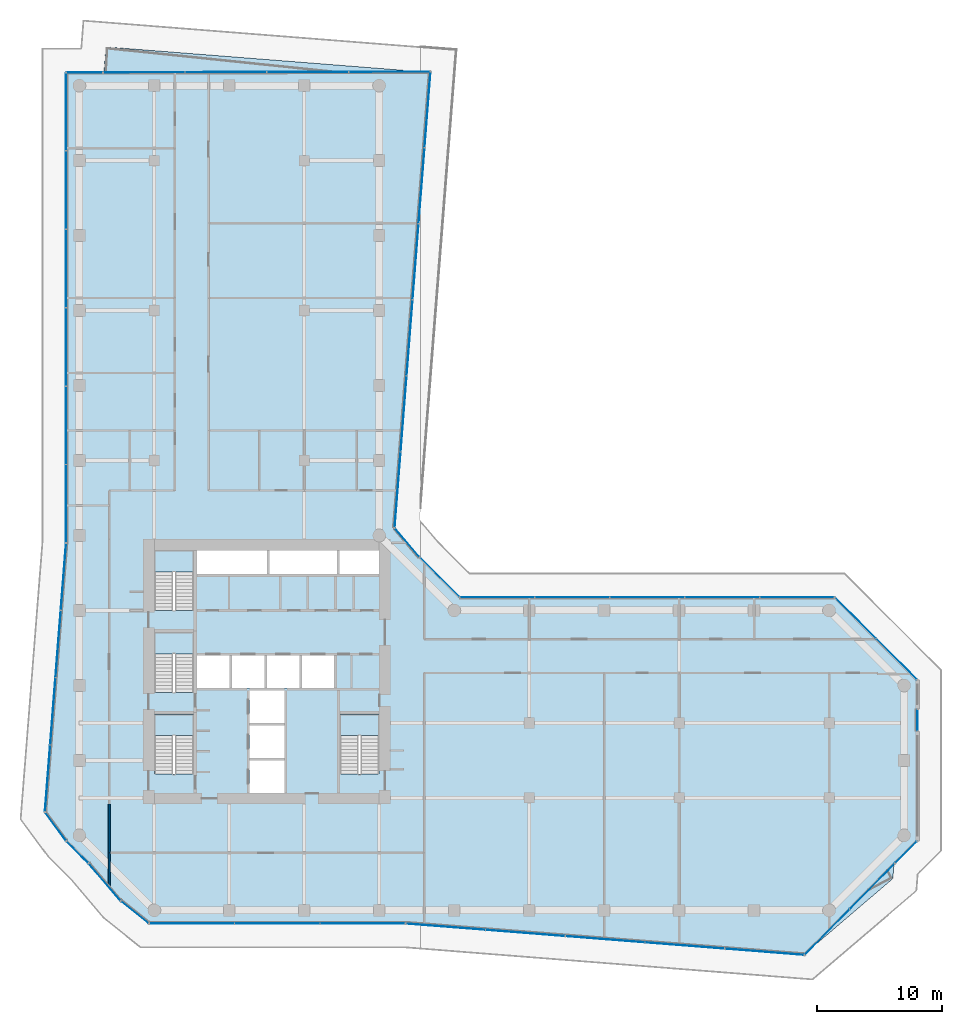
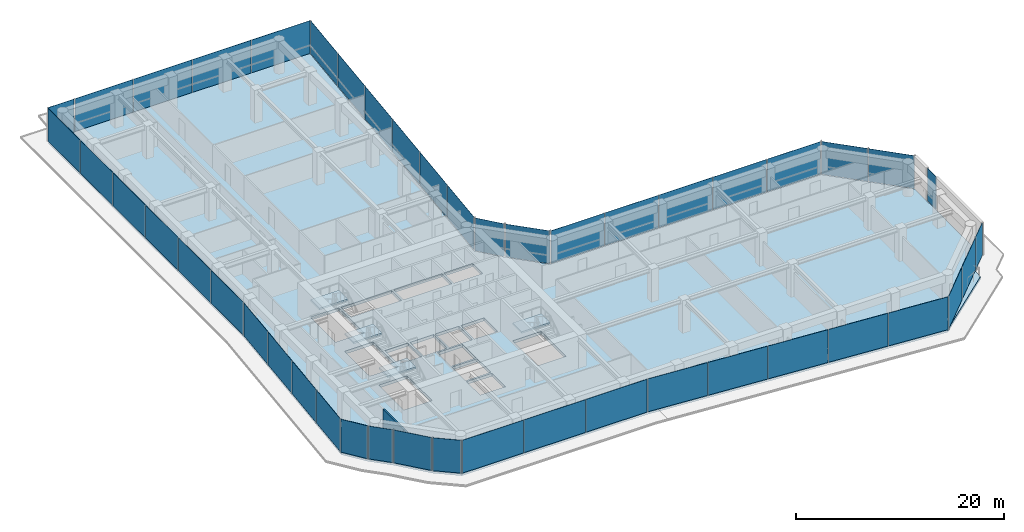
# One storey, part 22 of 29: 46 plates, 5 slabs, 2 walls, 22 elements without a shape of their own.
"""IFC4 building model written with IfcOpenShell, lengths in metres."""

from ifc_helpers import new_model, si_unit, direction, frame, frame_2d, origin, origin_2d, place, context, subcontext, project, spatial, polyline, rectangle, outline, extrude, material, layer, layer_set, type_object, element, aggregate, save


model = new_model("IFC4")

# Units and contexts
model_context = context("Model", 3, precision=1e-05, world=origin(), true_north=direction((0.0, 1.0)))
body_context = subcontext(model_context, "Body", "Model", "MODEL_VIEW")
ifc_project = project(units=[si_unit("LENGTHUNIT", "METRE"), si_unit("AREAUNIT", "SQUARE_METRE"), si_unit("VOLUMEUNIT", "CUBIC_METRE"), si_unit("PLANEANGLEUNIT", "RADIAN"), si_unit("MASSUNIT", "GRAM", prefix="KILO")], contexts=[model_context])

# Site, building, storey
site_placement = place(None, origin())
site = spatial("IfcSite", under=ifc_project, at=site_placement, CompositionType="ELEMENT")
building_placement = place(site_placement, origin())
building = spatial("IfcBuilding", under=site, at=building_placement, Name="Welwitschia Terrace Campus", CompositionType="ELEMENT")
storey_placement = place(building_placement, frame((0.0, 0.0, 33.199951171875)))
storey = spatial("IfcBuildingStorey", under=building, at=storey_placement, Name="L07", CompositionType="ELEMENT", Elevation=33.199951171875)

# Curtain wall, plates
ifc_material_1 = material(Name="Bronze anodised aluminium", Category="aluminium")
ifc_layer_1 = layer(ifc_material_1, 0.1201171875)
ifc_layer_set_1 = layer_set([ifc_layer_1], Name="Bronze anodised aluminium")
curtain_wall_type = type_object("IfcCurtainWallType", Name="Curtain wall CW2 tower 6000", PredefinedType="NOTDEFINED", material=ifc_layer_set_1)
curtain_wall_1_placement = place(storey_placement, origin())
curtain_wall_1 = element("IfcCurtainWall", 1, at=curtain_wall_1_placement, inside=storey, type_object=curtain_wall_type, Name="CW L07.0.0", PredefinedType="NOTDEFINED")
ifc_material_2 = material(Name="Tinted bronze-grey glass", Category="glass")
ifc_layer_2 = layer(ifc_material_2, 0.028076171875)
ifc_layer_set_2 = layer_set([ifc_layer_2], Name="Tinted bronze-grey glass")
plate_type = type_object("IfcPlateType", Name="Glass panel 28 tinted", PredefinedType="CURTAIN_PANEL", material=ifc_layer_set_2)
plate_1_placement = place(storey_placement, frame((-1.27099609375, 22.6904296875, 0.0), z_axis=(0.0, 0.0, 1.0), x_axis=(-0.078459095728, -0.996917333733, 0.0)))
plate_1 = element("IfcPlate", 2, at=plate_1_placement, type_object=plate_type, Name="Panel L07.0.0.0", PredefinedType="CURTAIN_PANEL", context=body_context, shape_type="SweptSolid", body=[
    extrude(rectangle(XDim=5.31201171875, YDim=0.028076171875, at=origin_2d()), origin(), (0.0, 0.0, 1.0), 3.85009765625),
])
plate_2_placement = place(storey_placement, frame((-1.69384765625, 17.320068359375, 0.0), z_axis=(0.0, 0.0, 1.0), x_axis=(-0.078459095728, -0.996917333733, 0.0)))
plate_2 = element("IfcPlate", 3, at=plate_2_placement, type_object=plate_type, Name="Panel L07.0.0.1", PredefinedType="CURTAIN_PANEL", context=body_context, shape_type="SweptSolid", body=[
    extrude(rectangle(XDim=5.342041015625, YDim=0.028076171875, at=origin_2d()), origin(), (0.0, 0.0, 1.0), 3.85009765625),
])
plate_3_placement = place(storey_placement, frame((-2.11767578125, 11.9345703125, 0.0), z_axis=(0.0, 0.0, 1.0), x_axis=(-0.078459095728, -0.996917333733, 0.0)))
plate_3 = element("IfcPlate", 4, at=plate_3_placement, type_object=plate_type, Name="Panel L07.0.0.2", PredefinedType="CURTAIN_PANEL", context=body_context, shape_type="SweptSolid", body=[
    extrude(rectangle(XDim=5.342041015625, YDim=0.028076171875, at=origin_2d()), origin(), (0.0, 0.0, 1.0), 3.85009765625),
])
plate_4_placement = place(storey_placement, frame((-2.540283203125, 6.564208984375, 0.0), z_axis=(0.0, 0.0, 1.0), x_axis=(-0.078459095728, -0.996917333733, 0.0)))
plate_4 = element("IfcPlate", 5, at=plate_4_placement, type_object=plate_type, Name="Panel L07.0.0.3", PredefinedType="CURTAIN_PANEL", context=body_context, shape_type="SweptSolid", body=[
    extrude(rectangle(XDim=5.31201171875, YDim=0.028076171875, at=origin_2d()), origin(), (0.0, 0.0, 1.0), 3.85009765625),
])
aggregate(curtain_wall_1, [plate_1, plate_2, plate_3, plate_4])

# Curtain wall, plate
curtain_wall_2_placement = place(storey_placement, origin())
curtain_wall_2 = element("IfcCurtainWall", 6, at=curtain_wall_2_placement, inside=storey, type_object=curtain_wall_type, Name="CW L07.1.0", PredefinedType="NOTDEFINED")
plate_5_placement = place(storey_placement, frame((-1.898681640625, 2.7021484375, 0.0), z_axis=(0.0, 0.0, 1.0), x_axis=(0.595020655375, -0.803710407844, 0.0)))
plate_5 = element("IfcPlate", 7, at=plate_5_placement, type_object=plate_type, Name="Panel L07.1.0.0", PredefinedType="CURTAIN_PANEL", context=body_context, shape_type="SweptSolid", body=[
    extrude(rectangle(XDim=2.752685546875, YDim=0.028076171875, at=origin_2d()), origin(), (0.0, 0.0, 1.0), 3.85009765625),
])
aggregate(curtain_wall_2, [plate_5])

curtain_wall_3_placement = place(storey_placement, origin())
curtain_wall_3 = element("IfcCurtainWall", 8, at=curtain_wall_3_placement, inside=storey, type_object=curtain_wall_type, Name="CW L07.2.0", PredefinedType="NOTDEFINED")
plate_6_placement = place(storey_placement, frame((-0.151611328125, 0.655517578125, 0.0), z_axis=(0.0, 0.0, 1.0), x_axis=(0.707106781187, -0.707106781187, 0.0)))
plate_6 = element("IfcPlate", 9, at=plate_6_placement, type_object=plate_type, Name="Panel L07.2.0.0", PredefinedType="CURTAIN_PANEL", context=body_context, shape_type="SweptSolid", body=[
    extrude(rectangle(XDim=2.404052734375, YDim=0.028076171875, at=origin_2d()), origin(), (0.0, 0.0, 1.0), 3.85009765625),
])
aggregate(curtain_wall_3, [plate_6])

curtain_wall_4_placement = place(storey_placement, origin())
curtain_wall_4 = element("IfcCurtainWall", 10, at=curtain_wall_4_placement, inside=storey, type_object=curtain_wall_type, Name="CW L07.3.0", PredefinedType="NOTDEFINED")
plate_7_placement = place(storey_placement, frame((2.027587890625, -1.74365234375, 0.0), z_axis=(0.0, 0.0, 1.0), x_axis=(0.64944804833, -0.7604059656, 0.0)))
plate_7 = element("IfcPlate", 11, at=plate_7_placement, type_object=plate_type, Name="Panel L07.3.0.0", PredefinedType="CURTAIN_PANEL", context=body_context, shape_type="SweptSolid", body=[
    extrude(rectangle(XDim=3.8427734375, YDim=0.028076171875, at=origin_2d()), origin(), (0.0, 0.0, 1.0), 3.85009765625),
])
aggregate(curtain_wall_4, [plate_7])

curtain_wall_5_placement = place(storey_placement, origin())
curtain_wall_5 = element("IfcCurtainWall", 12, at=curtain_wall_5_placement, inside=storey, type_object=curtain_wall_type, Name="CW L07.4.0", PredefinedType="NOTDEFINED")
plate_8_placement = place(storey_placement, frame((4.43994140625, -4.154052734375, 0.0), z_axis=(0.0, 0.0, 1.0), x_axis=(0.77970660766, -0.626145035891, 0.0)))
plate_8 = element("IfcPlate", 13, at=plate_8_placement, type_object=plate_type, Name="Panel L07.4.0.0", PredefinedType="CURTAIN_PANEL", context=body_context, shape_type="SweptSolid", body=[
    extrude(rectangle(XDim=2.76708984375, YDim=0.028076171875, at=origin_2d()), origin(), (0.0, 0.0, 1.0), 3.85009765625),
])
aggregate(curtain_wall_5, [plate_8])

# Curtain wall, plates
curtain_wall_6_placement = place(storey_placement, origin())
curtain_wall_6 = element("IfcCurtainWall", 14, at=curtain_wall_6_placement, inside=storey, type_object=curtain_wall_type, Name="CW L07.5.0", PredefinedType="NOTDEFINED")
plate_9_placement = place(storey_placement, frame((9.00537109375, -5.05810546875, 0.0), z_axis=(0.0, 0.0, 1.0), x_axis=(1.0, 0.0, 0.0)))
plate_9 = element("IfcPlate", 15, at=plate_9_placement, type_object=plate_type, Name="Panel L07.5.0.0", PredefinedType="CURTAIN_PANEL", context=body_context, shape_type="SweptSolid", body=[
    extrude(rectangle(XDim=6.760009765625, YDim=0.028076171875, at=origin_2d()), origin(), (0.0, 0.0, 1.0), 3.85009765625),
])
plate_10_placement = place(storey_placement, frame((15.840576171875, -5.05810546875, 0.0), z_axis=(0.0, 0.0, 1.0), x_axis=(1.0, 0.0, 0.0)))
plate_10 = element("IfcPlate", 16, at=plate_10_placement, type_object=plate_type, Name="Panel L07.5.0.1", PredefinedType="CURTAIN_PANEL", context=body_context, shape_type="SweptSolid", body=[
    extrude(rectangle(XDim=6.7900390625, YDim=0.028076171875, at=origin_2d()), origin(), (0.0, 0.0, 1.0), 3.85009765625),
])
plate_11_placement = place(storey_placement, frame((22.675537109375, -5.05810546875, 0.0), z_axis=(0.0, 0.0, 1.0), x_axis=(1.0, 0.0, 0.0)))
plate_11 = element("IfcPlate", 17, at=plate_11_placement, type_object=plate_type, Name="Panel L07.5.0.2", PredefinedType="CURTAIN_PANEL", context=body_context, shape_type="SweptSolid", body=[
    extrude(rectangle(XDim=6.760009765625, YDim=0.028076171875, at=origin_2d()), origin(), (0.0, 0.0, 1.0), 3.85009765625),
])
aggregate(curtain_wall_6, [plate_9, plate_10, plate_11])

curtain_wall_7_placement = place(storey_placement, origin())
curtain_wall_7 = element("IfcCurtainWall", 18, at=curtain_wall_7_placement, inside=storey, type_object=curtain_wall_type, Name="CW L07.6.0", PredefinedType="NOTDEFINED")
plate_12_placement = place(storey_placement, frame((29.322265625, -5.310302734375, 0.0), z_axis=(0.0, 0.0, 1.0), x_axis=(0.996917333733, -0.078459095728, 0.0)))
plate_12 = element("IfcPlate", 19, at=plate_12_placement, type_object=plate_type, Name="Panel L07.6.0.0", PredefinedType="CURTAIN_PANEL", context=body_context, shape_type="SweptSolid", body=[
    extrude(rectangle(XDim=6.3134765625, YDim=0.028076171875, at=origin_2d()), origin(), (0.0, 0.0, 1.0), 3.85009765625),
])
plate_13_placement = place(storey_placement, frame((35.691162109375, -5.8115234375, 0.0), z_axis=(0.0, 0.0, 1.0), x_axis=(0.996917333733, -0.078459095728, 0.0)))
plate_13 = element("IfcPlate", 20, at=plate_13_placement, type_object=plate_type, Name="Panel L07.6.0.1", PredefinedType="CURTAIN_PANEL", context=body_context, shape_type="SweptSolid", body=[
    extrude(rectangle(XDim=6.34326171875, YDim=0.028076171875, at=origin_2d()), origin(), (0.0, 0.0, 1.0), 3.85009765625),
])
plate_14_placement = place(storey_placement, frame((42.07470703125, -6.31396484375, 0.0), z_axis=(0.0, 0.0, 1.0), x_axis=(0.996917333733, -0.078459095728, 0.0)))
plate_14 = element("IfcPlate", 21, at=plate_14_placement, type_object=plate_type, Name="Panel L07.6.0.2", PredefinedType="CURTAIN_PANEL", context=body_context, shape_type="SweptSolid", body=[
    extrude(rectangle(XDim=6.34326171875, YDim=0.028076171875, at=origin_2d()), origin(), (0.0, 0.0, 1.0), 3.85009765625),
])
plate_15_placement = place(storey_placement, frame((48.458251953125, -6.81640625, 0.0), z_axis=(0.0, 0.0, 1.0), x_axis=(0.996917333733, -0.078459095728, 0.0)))
plate_15 = element("IfcPlate", 22, at=plate_15_placement, type_object=plate_type, Name="Panel L07.6.0.3", PredefinedType="CURTAIN_PANEL", context=body_context, shape_type="SweptSolid", body=[
    extrude(rectangle(XDim=6.34326171875, YDim=0.028076171875, at=origin_2d()), origin(), (0.0, 0.0, 1.0), 3.85009765625),
])
plate_16_placement = place(storey_placement, frame((54.826904296875, -7.317626953125, 0.0), z_axis=(0.0, 0.0, 1.0), x_axis=(0.996917333733, -0.078459095728, 0.0)))
plate_16 = element("IfcPlate", 23, at=plate_16_placement, type_object=plate_type, Name="Panel L07.6.0.4", PredefinedType="CURTAIN_PANEL", context=body_context, shape_type="SweptSolid", body=[
    extrude(rectangle(XDim=6.3134765625, YDim=0.028076171875, at=origin_2d()), origin(), (0.0, 0.0, 1.0), 3.85009765625),
])
aggregate(curtain_wall_7, [plate_12, plate_13, plate_14, plate_15, plate_16])

curtain_wall_8_placement = place(storey_placement, origin())
curtain_wall_8 = element("IfcCurtainWall", 24, at=curtain_wall_8_placement, inside=storey, type_object=curtain_wall_type, Name="CW L07.7.0", PredefinedType="NOTDEFINED")
plate_17_placement = place(storey_placement, frame((59.848388671875, -5.728271484375, 0.0), z_axis=(0.0, 0.0, 1.0), x_axis=(0.701858594732, 0.712316301232, 0.0)))
plate_17 = element("IfcPlate", 25, at=plate_17_placement, type_object=plate_type, Name="Panel L07.7.0.0", PredefinedType="CURTAIN_PANEL", context=body_context, shape_type="SweptSolid", body=[
    extrude(rectangle(XDim=5.051025390625, YDim=0.028076171875, at=origin_2d()), origin(), (0.0, 0.0, 1.0), 3.85009765625),
])
plate_18_placement = place(storey_placement, frame((63.435791015625, -2.087646484375, 0.0), z_axis=(0.0, 0.0, 1.0), x_axis=(0.701858594732, 0.712316301232, 0.0)))
plate_18 = element("IfcPlate", 26, at=plate_18_placement, type_object=plate_type, Name="Panel L07.7.0.1", PredefinedType="CURTAIN_PANEL", context=body_context, shape_type="SweptSolid", body=[
    extrude(rectangle(XDim=5.051025390625, YDim=0.028076171875, at=origin_2d()), origin(), (0.0, 0.0, 1.0), 3.85009765625),
])
aggregate(curtain_wall_8, [plate_17, plate_18])

# Curtain wall, plate
curtain_wall_9_placement = place(storey_placement, origin())
curtain_wall_9 = element("IfcCurtainWall", 27, at=curtain_wall_9_placement, inside=storey, type_object=curtain_wall_type, Name="CW L07.8.0", PredefinedType="NOTDEFINED")
plate_19_placement = place(storey_placement, frame((66.154296875, 0.657958984375, 0.0), z_axis=(0.0, 0.0, 1.0), x_axis=(0.707106781187, 0.707106781187, 0.0)))
plate_19 = element("IfcPlate", 28, at=plate_19_placement, type_object=plate_type, Name="Panel L07.8.0.0", PredefinedType="CURTAIN_PANEL", context=body_context, shape_type="SweptSolid", body=[
    extrude(rectangle(XDim=2.436279296875, YDim=0.028076171875, at=origin_2d()), origin(), (0.0, 0.0, 1.0), 3.85009765625),
])
aggregate(curtain_wall_9, [plate_19])

curtain_wall_10_placement = place(storey_placement, origin())
curtain_wall_10 = element("IfcCurtainWall", 29, at=curtain_wall_10_placement, inside=storey, type_object=curtain_wall_type, Name="CW L07.9.S0", PredefinedType="NOTDEFINED")
plate_20_placement = place(storey_placement, frame((67.05810546875, 11.21923828125, 0.0), z_axis=(0.0, 0.0, 1.0), x_axis=(0.0, 1.0, 0.0)))
plate_20 = element("IfcPlate", 30, at=plate_20_placement, type_object=plate_type, Name="Panel L07.9.S0.0", PredefinedType="CURTAIN_PANEL", context=body_context, shape_type="SweptSolid", body=[
    extrude(rectangle(XDim=1.679931640625, YDim=0.028076171875, at=origin_2d()), origin(), (0.0, 0.0, 1.0), 3.85009765625),
])
aggregate(curtain_wall_10, [plate_20])

# Curtain wall, plates
curtain_wall_11_placement = place(storey_placement, origin())
curtain_wall_11 = element("IfcCurtainWall", 31, at=curtain_wall_11_placement, inside=storey, type_object=curtain_wall_type, Name="CW L07.10.0", PredefinedType="NOTDEFINED")
plate_21_placement = place(storey_placement, frame((65.392333984375, 16.103759765625, 0.0), z_axis=(0.0, 0.0, 1.0), x_axis=(-0.707106781187, 0.707106781187, 0.0)))
plate_21 = element("IfcPlate", 32, at=plate_21_placement, type_object=plate_type, Name="Panel L07.10.0.0", PredefinedType="CURTAIN_PANEL", context=body_context, shape_type="SweptSolid", body=[
    extrude(rectangle(XDim=4.5908203125, YDim=0.028076171875, at=origin_2d()), origin(), (0.0, 0.0, 1.0), 3.85009765625),
])
plate_22_placement = place(storey_placement, frame((62.103759765625, 19.392333984375, 0.0), z_axis=(0.0, 0.0, 1.0), x_axis=(-0.707106781187, 0.707106781187, 0.0)))
plate_22 = element("IfcPlate", 33, at=plate_22_placement, type_object=plate_type, Name="Panel L07.10.0.1", PredefinedType="CURTAIN_PANEL", context=body_context, shape_type="SweptSolid", body=[
    extrude(rectangle(XDim=4.5908203125, YDim=0.028076171875, at=origin_2d()), origin(), (0.0, 0.0, 1.0), 3.85009765625),
])
aggregate(curtain_wall_11, [plate_21, plate_22])

curtain_wall_12_placement = place(storey_placement, origin())
curtain_wall_12 = element("IfcCurtainWall", 34, at=curtain_wall_12_placement, inside=storey, type_object=curtain_wall_type, Name="CW L07.11.0", PredefinedType="NOTDEFINED")
plate_23_placement = place(storey_placement, frame((57.42333984375, 21.05810546875, 0.0), z_axis=(0.0, 0.0, 1.0), x_axis=(-1.0, 0.0, 0.0)))
plate_23 = element("IfcPlate", 35, at=plate_23_placement, type_object=plate_type, Name="Panel L07.11.0.0", PredefinedType="CURTAIN_PANEL", context=body_context, shape_type="SweptSolid", body=[
    extrude(rectangle(XDim=5.909912109375, YDim=0.028076171875, at=origin_2d()), origin(), (0.0, 0.0, 1.0), 3.85009765625),
])
plate_24_placement = place(storey_placement, frame((51.438232421875, 21.05810546875, 0.0), z_axis=(0.0, 0.0, 1.0), x_axis=(-1.0, 0.0, 0.0)))
plate_24 = element("IfcPlate", 36, at=plate_24_placement, type_object=plate_type, Name="Panel L07.11.0.1", PredefinedType="CURTAIN_PANEL", context=body_context, shape_type="SweptSolid", body=[
    extrude(rectangle(XDim=5.93994140625, YDim=0.028076171875, at=origin_2d()), origin(), (0.0, 0.0, 1.0), 3.85009765625),
])
plate_25_placement = place(storey_placement, frame((45.438232421875, 21.05810546875, 0.0), z_axis=(0.0, 0.0, 1.0), x_axis=(-1.0, 0.0, 0.0)))
plate_25 = element("IfcPlate", 37, at=plate_25_placement, type_object=plate_type, Name="Panel L07.11.0.2", PredefinedType="CURTAIN_PANEL", context=body_context, shape_type="SweptSolid", body=[
    extrude(rectangle(XDim=5.93994140625, YDim=0.028076171875, at=origin_2d()), origin(), (0.0, 0.0, 1.0), 3.85009765625),
])
plate_26_placement = place(storey_placement, frame((39.438232421875, 21.05810546875, 0.0), z_axis=(0.0, 0.0, 1.0), x_axis=(-1.0, 0.0, 0.0)))
plate_26 = element("IfcPlate", 38, at=plate_26_placement, type_object=plate_type, Name="Panel L07.11.0.3", PredefinedType="CURTAIN_PANEL", context=body_context, shape_type="SweptSolid", body=[
    extrude(rectangle(XDim=5.93994140625, YDim=0.028076171875, at=origin_2d()), origin(), (0.0, 0.0, 1.0), 3.85009765625),
])
plate_27_placement = place(storey_placement, frame((33.453125, 21.05810546875, 0.0), z_axis=(0.0, 0.0, 1.0), x_axis=(-1.0, 0.0, 0.0)))
plate_27 = element("IfcPlate", 39, at=plate_27_placement, type_object=plate_type, Name="Panel L07.11.0.4", PredefinedType="CURTAIN_PANEL", context=body_context, shape_type="SweptSolid", body=[
    extrude(rectangle(XDim=5.909912109375, YDim=0.028076171875, at=origin_2d()), origin(), (0.0, 0.0, 1.0), 3.85009765625),
])
aggregate(curtain_wall_12, [plate_23, plate_24, plate_25, plate_26, plate_27])

# Curtain wall, plate
curtain_wall_13_placement = place(storey_placement, origin())
curtain_wall_13 = element("IfcCurtainWall", 40, at=curtain_wall_13_placement, inside=storey, type_object=curtain_wall_type, Name="CW L07.12.0", PredefinedType="NOTDEFINED")
plate_28_placement = place(storey_placement, frame((28.83837890625, 22.65771484375, 0.0), z_axis=(0.0, 0.0, 1.0), x_axis=(-0.707106781187, 0.707106781187, 0.0)))
plate_28 = element("IfcPlate", 41, at=plate_28_placement, type_object=plate_type, Name="Panel L07.12.0.0", PredefinedType="CURTAIN_PANEL", context=body_context, shape_type="SweptSolid", body=[
    extrude(rectangle(XDim=4.40478515625, YDim=0.028076171875, at=origin_2d()), origin(), (0.0, 0.0, 1.0), 3.85009765625),
])
aggregate(curtain_wall_13, [plate_28])

curtain_wall_14_placement = place(storey_placement, origin())
curtain_wall_14 = element("IfcCurtainWall", 42, at=curtain_wall_14_placement, inside=storey, type_object=curtain_wall_type, Name="CW L07.13.0", PredefinedType="NOTDEFINED")
plate_29_placement = place(storey_placement, frame((26.236328125, 25.431396484375, 0.0), z_axis=(0.0, 0.0, 1.0), x_axis=(-0.64944804833, 0.7604059656, 0.0)))
plate_29 = element("IfcPlate", 43, at=plate_29_placement, type_object=plate_type, Name="Panel L07.13.0.0", PredefinedType="CURTAIN_PANEL", context=body_context, shape_type="SweptSolid", body=[
    extrude(rectangle(XDim=2.967041015625, YDim=0.028076171875, at=origin_2d()), origin(), (0.0, 0.0, 1.0), 3.85009765625),
])
aggregate(curtain_wall_14, [plate_29])

# Curtain wall, plates
curtain_wall_15_placement = place(storey_placement, origin())
curtain_wall_15 = element("IfcCurtainWall", 44, at=curtain_wall_15_placement, inside=storey, type_object=curtain_wall_type, Name="CW L07.14.0", PredefinedType="NOTDEFINED")
plate_30_placement = place(storey_placement, frame((25.474365234375, 29.662109375, 0.0), z_axis=(0.0, 0.0, 1.0), x_axis=(0.078459095728, 0.996917333733, 0.0)))
plate_30 = element("IfcPlate", 45, at=plate_30_placement, type_object=plate_type, Name="Panel L07.14.0.0", PredefinedType="CURTAIN_PANEL", context=body_context, shape_type="SweptSolid", body=[
    extrude(rectangle(XDim=6.01318359375, YDim=0.028076171875, at=origin_2d()), origin(), (0.0, 0.0, 1.0), 3.85009765625),
])
plate_31_placement = place(storey_placement, frame((25.9521484375, 35.731689453125, 0.0), z_axis=(0.0, 0.0, 1.0), x_axis=(0.078459095728, 0.996917333733, 0.0)))
plate_31 = element("IfcPlate", 46, at=plate_31_placement, type_object=plate_type, Name="Panel L07.14.0.1", PredefinedType="CURTAIN_PANEL", context=body_context, shape_type="SweptSolid", body=[
    extrude(rectangle(XDim=6.043212890625, YDim=0.028076171875, at=origin_2d()), origin(), (0.0, 0.0, 1.0), 3.85009765625),
])
plate_32_placement = place(storey_placement, frame((26.430908203125, 41.816162109375, 0.0), z_axis=(0.0, 0.0, 1.0), x_axis=(0.078459095728, 0.996917333733, 0.0)))
plate_32 = element("IfcPlate", 47, at=plate_32_placement, type_object=plate_type, Name="Panel L07.14.0.2", PredefinedType="CURTAIN_PANEL", context=body_context, shape_type="SweptSolid", body=[
    extrude(rectangle(XDim=6.043212890625, YDim=0.028076171875, at=origin_2d()), origin(), (0.0, 0.0, 1.0), 3.85009765625),
])
plate_33_placement = place(storey_placement, frame((26.90966796875, 47.900634765625, 0.0), z_axis=(0.0, 0.0, 1.0), x_axis=(0.078459095728, 0.996917333733, 0.0)))
plate_33 = element("IfcPlate", 48, at=plate_33_placement, type_object=plate_type, Name="Panel L07.14.0.3", PredefinedType="CURTAIN_PANEL", context=body_context, shape_type="SweptSolid", body=[
    extrude(rectangle(XDim=6.043212890625, YDim=0.028076171875, at=origin_2d()), origin(), (0.0, 0.0, 1.0), 3.85009765625),
])
plate_34_placement = place(storey_placement, frame((27.388671875, 53.985107421875, 0.0), z_axis=(0.0, 0.0, 1.0), x_axis=(0.078459095728, 0.996917333733, 0.0)))
plate_34 = element("IfcPlate", 49, at=plate_34_placement, type_object=plate_type, Name="Panel L07.14.0.4", PredefinedType="CURTAIN_PANEL", context=body_context, shape_type="SweptSolid", body=[
    extrude(rectangle(XDim=6.043212890625, YDim=0.028076171875, at=origin_2d()), origin(), (0.0, 0.0, 1.0), 3.85009765625),
])
plate_35_placement = place(storey_placement, frame((27.8662109375, 60.0546875, 0.0), z_axis=(0.0, 0.0, 1.0), x_axis=(0.078459095728, 0.996917333733, 0.0)))
plate_35 = element("IfcPlate", 50, at=plate_35_placement, type_object=plate_type, Name="Panel L07.14.0.5", PredefinedType="CURTAIN_PANEL", context=body_context, shape_type="SweptSolid", body=[
    extrude(rectangle(XDim=6.01318359375, YDim=0.028076171875, at=origin_2d()), origin(), (0.0, 0.0, 1.0), 3.85009765625),
])
aggregate(curtain_wall_15, [plate_30, plate_31, plate_32, plate_33, plate_34, plate_35])

curtain_wall_16_placement = place(storey_placement, origin())
curtain_wall_16 = element("IfcCurtainWall", 51, at=curtain_wall_16_placement, inside=storey, type_object=curtain_wall_type, Name="CW L07.15.0", PredefinedType="NOTDEFINED")
plate_36_placement = place(storey_placement, frame((24.81689453125, 63.105224609375, 0.0), z_axis=(0.0, 0.0, 1.0), x_axis=(-0.999997883246, -0.00205754776, 0.0)))
plate_36 = element("IfcPlate", 52, at=plate_36_placement, type_object=plate_type, Name="Panel L07.15.0.0", PredefinedType="CURTAIN_PANEL", context=body_context, shape_type="SweptSolid", body=[
    extrude(rectangle(XDim=6.460205078125, YDim=0.028076171875, at=origin_2d()), origin(), (0.0, 0.0, 1.0), 3.85009765625),
])
plate_37_placement = place(storey_placement, frame((18.281494140625, 63.091796875, 0.0), z_axis=(0.0, 0.0, 1.0), x_axis=(-0.999997883246, -0.00205754776, 0.0)))
plate_37 = element("IfcPlate", 53, at=plate_37_placement, type_object=plate_type, Name="Panel L07.15.0.1", PredefinedType="CURTAIN_PANEL", context=body_context, shape_type="SweptSolid", body=[
    extrude(rectangle(XDim=6.490234375, YDim=0.028076171875, at=origin_2d()), origin(), (0.0, 0.0, 1.0), 3.85009765625),
])
plate_38_placement = place(storey_placement, frame((11.731201171875, 63.078125, 0.0), z_axis=(0.0, 0.0, 1.0), x_axis=(-0.999997883246, -0.00205754776, 0.0)))
plate_38 = element("IfcPlate", 54, at=plate_38_placement, type_object=plate_type, Name="Panel L07.15.0.2", PredefinedType="CURTAIN_PANEL", context=body_context, shape_type="SweptSolid", body=[
    extrude(rectangle(XDim=6.490234375, YDim=0.028076171875, at=origin_2d()), origin(), (0.0, 0.0, 1.0), 3.85009765625),
])
plate_39_placement = place(storey_placement, frame((5.196044921875, 63.064697265625, 0.0), z_axis=(0.0, 0.0, 1.0), x_axis=(-0.999997883246, -0.00205754776, 0.0)))
plate_39 = element("IfcPlate", 55, at=plate_39_placement, type_object=plate_type, Name="Panel L07.15.0.3", PredefinedType="CURTAIN_PANEL", context=body_context, shape_type="SweptSolid", body=[
    extrude(rectangle(XDim=6.460205078125, YDim=0.028076171875, at=origin_2d()), origin(), (0.0, 0.0, 1.0), 3.85009765625),
])
aggregate(curtain_wall_16, [plate_36, plate_37, plate_38, plate_39])

# Curtain wall, plate
curtain_wall_17_placement = place(storey_placement, origin())
curtain_wall_17 = element("IfcCurtainWall", 56, at=curtain_wall_17_placement, inside=storey, type_object=curtain_wall_type, Name="CW L07.16.0", PredefinedType="NOTDEFINED")
plate_40_placement = place(storey_placement, frame((0.424072265625, 63.05810546875, 0.0), z_axis=(0.0, 0.0, 1.0), x_axis=(-1.0, 0.0, 0.0)))
plate_40 = element("IfcPlate", 57, at=plate_40_placement, type_object=plate_type, Name="Panel L07.16.0.0", PredefinedType="CURTAIN_PANEL", context=body_context, shape_type="SweptSolid", body=[
    extrude(rectangle(XDim=2.843994140625, YDim=0.028076171875, at=origin_2d()), origin(), (0.0, 0.0, 1.0), 3.85009765625),
])
aggregate(curtain_wall_17, [plate_40])

# Curtain wall, plates
curtain_wall_18_placement = place(storey_placement, origin())
curtain_wall_18 = element("IfcCurtainWall", 58, at=curtain_wall_18_placement, inside=storey, type_object=curtain_wall_type, Name="CW L07.17.0", PredefinedType="NOTDEFINED")
plate_41_placement = place(storey_placement, frame((-1.05810546875, 59.90478515625, 0.0), z_axis=(0.0, 0.0, 1.0), x_axis=(0.0, -1.0, 0.0)))
plate_41 = element("IfcPlate", 59, at=plate_41_placement, type_object=plate_type, Name="Panel L07.17.0.0", PredefinedType="CURTAIN_PANEL", context=body_context, shape_type="SweptSolid", body=[
    extrude(rectangle(XDim=6.186767578125, YDim=0.028076171875, at=origin_2d()), origin(), (0.0, 0.0, 1.0), 3.85009765625),
])
plate_42_placement = place(storey_placement, frame((-1.05810546875, 53.64306640625, 0.0), z_axis=(0.0, 0.0, 1.0), x_axis=(0.0, -1.0, 0.0)))
plate_42 = element("IfcPlate", 60, at=plate_42_placement, type_object=plate_type, Name="Panel L07.17.0.1", PredefinedType="CURTAIN_PANEL", context=body_context, shape_type="SweptSolid", body=[
    extrude(rectangle(XDim=6.216552734375, YDim=0.028076171875, at=origin_2d()), origin(), (0.0, 0.0, 1.0), 3.85009765625),
])
plate_43_placement = place(storey_placement, frame((-1.05810546875, 47.366455078125, 0.0), z_axis=(0.0, 0.0, 1.0), x_axis=(0.0, -1.0, 0.0)))
plate_43 = element("IfcPlate", 61, at=plate_43_placement, type_object=plate_type, Name="Panel L07.17.0.2", PredefinedType="CURTAIN_PANEL", context=body_context, shape_type="SweptSolid", body=[
    extrude(rectangle(XDim=6.216552734375, YDim=0.028076171875, at=origin_2d()), origin(), (0.0, 0.0, 1.0), 3.85009765625),
])
plate_44_placement = place(storey_placement, frame((-1.05810546875, 41.089599609375, 0.0), z_axis=(0.0, 0.0, 1.0), x_axis=(0.0, -1.0, 0.0)))
plate_44 = element("IfcPlate", 62, at=plate_44_placement, type_object=plate_type, Name="Panel L07.17.0.3", PredefinedType="CURTAIN_PANEL", context=body_context, shape_type="SweptSolid", body=[
    extrude(rectangle(XDim=6.216552734375, YDim=0.028076171875, at=origin_2d()), origin(), (0.0, 0.0, 1.0), 3.85009765625),
])
plate_45_placement = place(storey_placement, frame((-1.05810546875, 34.81298828125, 0.0), z_axis=(0.0, 0.0, 1.0), x_axis=(0.0, -1.0, 0.0)))
plate_45 = element("IfcPlate", 63, at=plate_45_placement, type_object=plate_type, Name="Panel L07.17.0.4", PredefinedType="CURTAIN_PANEL", context=body_context, shape_type="SweptSolid", body=[
    extrude(rectangle(XDim=6.216552734375, YDim=0.028076171875, at=origin_2d()), origin(), (0.0, 0.0, 1.0), 3.85009765625),
])
plate_46_placement = place(storey_placement, frame((-1.05810546875, 28.55126953125, 0.0), z_axis=(0.0, 0.0, 1.0), x_axis=(0.0, -1.0, 0.0)))
plate_46 = element("IfcPlate", 64, at=plate_46_placement, type_object=plate_type, Name="Panel L07.17.0.5", PredefinedType="CURTAIN_PANEL", context=body_context, shape_type="SweptSolid", body=[
    extrude(rectangle(XDim=6.186767578125, YDim=0.028076171875, at=origin_2d()), origin(), (0.0, 0.0, 1.0), 3.85009765625),
])
aggregate(curtain_wall_18, [plate_41, plate_42, plate_43, plate_44, plate_45, plate_46])

# Stair, slab
ifc_material_3 = material(Name="Concrete C40/50", Category="concrete")
stair_type = type_object("IfcStairType", Name="Stair 24R 175 W1500", PredefinedType="HALF_TURN_STAIR", material=ifc_material_3)
stair_1_placement = place(storey_placement, origin())
stair_1 = element("IfcStair", 65, at=stair_1_placement, inside=storey, type_object=stair_type, Name="L07 Exit stair S1", PredefinedType="HALF_TURN_STAIR")
ifc_material_4 = material(Name="Concrete C40/50", Category="concrete")
ifc_layer_3 = layer(ifc_material_4, 0.199951171875)
ifc_layer_set_3 = layer_set([ifc_layer_3], Name="Concrete C40/50")
slab_type_1 = type_object("IfcSlabType", Name="Stair landing RC", PredefinedType="LANDING", material=ifc_layer_set_3)
slab_1_placement = place(storey_placement, frame((0.0, 0.0, 1.900146484375)))
slab_1 = element("IfcSlab", 66, at=slab_1_placement, type_object=slab_type_1, Name="S1 landing 1", PredefinedType="LANDING", context=body_context, shape_type="SweptSolid", body=[
    extrude(outline(polyline([(9.14990234375, 9.97998046875), (9.14990234375, 11.699951171875), (6.0, 11.699951171875), (6.0, 9.97998046875), (9.14990234375, 9.97998046875)])), origin(), (0.0, 0.0, 1.0), 0.199951171875),
])
aggregate(stair_1, [slab_1])

stair_2_placement = place(storey_placement, origin())
stair_2 = element("IfcStair", 67, at=stair_2_placement, inside=storey, type_object=stair_type, Name="L07 Exit stair S3", PredefinedType="HALF_TURN_STAIR")
slab_2_placement = place(storey_placement, frame((0.0, 0.0, 1.900146484375)))
slab_2 = element("IfcSlab", 68, at=slab_2_placement, type_object=slab_type_1, Name="S3 landing 1", PredefinedType="LANDING", context=body_context, shape_type="SweptSolid", body=[
    extrude(outline(polyline([(9.14990234375, 16.530029296875), (9.14990234375, 18.25), (6.0, 18.25), (6.0, 16.530029296875), (9.14990234375, 16.530029296875)])), origin(), (0.0, 0.0, 1.0), 0.199951171875),
])
aggregate(stair_2, [slab_2])

stair_3_placement = place(storey_placement, origin())
stair_3 = element("IfcStair", 69, at=stair_3_placement, inside=storey, type_object=stair_type, Name="L07 Exit stair S4", PredefinedType="HALF_TURN_STAIR")
slab_3_placement = place(storey_placement, frame((0.0, 0.0, 1.900146484375)))
slab_3 = element("IfcSlab", 70, at=slab_3_placement, type_object=slab_type_1, Name="S4 landing 1", PredefinedType="LANDING", context=body_context, shape_type="SweptSolid", body=[
    extrude(outline(polyline([(9.14990234375, 23.080078125), (9.14990234375, 24.800048828125), (6.0, 24.800048828125), (6.0, 23.080078125), (9.14990234375, 23.080078125)])), origin(), (0.0, 0.0, 1.0), 0.199951171875),
])
aggregate(stair_3, [slab_3])

stair_4_placement = place(storey_placement, origin())
stair_4 = element("IfcStair", 71, at=stair_4_placement, inside=storey, type_object=stair_type, Name="L07 Exit stair S2", PredefinedType="HALF_TURN_STAIR")
slab_4_placement = place(storey_placement, frame((0.0, 0.0, 1.900146484375)))
slab_4 = element("IfcSlab", 72, at=slab_4_placement, type_object=slab_type_1, Name="S2 landing 1", PredefinedType="LANDING", context=body_context, shape_type="SweptSolid", body=[
    extrude(outline(polyline([(24.0, 9.97998046875), (24.0, 11.699951171875), (20.85009765625, 11.699951171875), (20.85009765625, 9.97998046875), (24.0, 9.97998046875)])), origin(), (0.0, 0.0, 1.0), 0.199951171875),
])
aggregate(stair_4, [slab_4])

# Slab
ifc_material_5 = material(Name="Concrete C40/50", Category="concrete")
ifc_layer_4 = layer(ifc_material_5, 0.35009765625)
ifc_layer_set_4 = layer_set([ifc_layer_4], Name="Concrete C40/50")
slab_type_2 = type_object("IfcSlabType", Name="Suspended floor slab 350", PredefinedType="FLOOR", material=ifc_layer_set_4)
slab_5_placement = place(storey_placement, frame((0.0, 0.0, -0.349853515625)))
element("IfcSlab", 73, at=slab_5_placement, inside=storey, type_object=slab_type_2, Name="Floor slab L07", PredefinedType="FLOOR", context=body_context, shape_type="SweptSolid", body=[
    extrude(outline(polyline([(-1.0, 63.0), (1.95947265625, 63.0), (2.124755859375, 65.0986328125), (28.04443359375, 63.05859375), (25.174072265625, 26.585693359375), (27.196044921875, 24.21826171875), (30.414306640625, 21.0), (60.414306640625, 21.0), (67.0, 14.414306640625), (67.0, 1.585693359375), (65.1943359375, -0.219970703125), (65.096435546875, -1.46142578125), (58.014404296875, -7.51025390625), (26.117919921875, -5.0), (5.585693359375, -5.0), (3.35498046875, -3.20849609375), (0.783447265625, -0.197509765625), (-1.0, 1.585693359375), (-2.69384765625, 3.873779296875), (-1.0, 25.395751953125), (-1.0, 63.0)]), holes=[polyline([(13.60009765625, 8.0), (13.60009765625, 5.39990234375), (16.39990234375, 5.39990234375), (16.39990234375, 8.0), (13.60009765625, 8.0)]), polyline([(9.14990234375, 11.699951171875), (6.0, 11.699951171875), (6.0, 6.902099609375), (9.14990234375, 6.902099609375), (9.14990234375, 11.699951171875)]), polyline([(12.0, 16.39990234375), (9.39990234375, 16.39990234375), (9.39990234375, 13.800048828125), (12.0, 13.800048828125), (12.0, 16.39990234375)]), polyline([(14.800048828125, 16.39990234375), (12.199951171875, 16.39990234375), (12.199951171875, 13.800048828125), (14.800048828125, 13.800048828125), (14.800048828125, 16.39990234375)]), polyline([(9.14990234375, 18.25), (6.0, 18.25), (6.0, 13.451904296875), (9.14990234375, 13.451904296875), (9.14990234375, 18.25)]), polyline([(9.14990234375, 24.800048828125), (6.0, 24.800048828125), (6.0, 20.001953125), (9.14990234375, 20.001953125), (9.14990234375, 24.800048828125)]), polyline([(15.0, 24.800048828125), (9.39990234375, 24.800048828125), (9.39990234375, 22.89990234375), (15.0, 22.89990234375), (15.0, 24.800048828125)]), polyline([(20.85009765625, 11.699951171875), (20.85009765625, 6.902099609375), (24.0, 6.902099609375), (24.0, 11.699951171875), (20.85009765625, 11.699951171875)]), polyline([(16.39990234375, 10.800048828125), (13.60009765625, 10.800048828125), (13.60009765625, 8.199951171875), (16.39990234375, 8.199951171875), (16.39990234375, 10.800048828125)]), polyline([(16.39990234375, 13.60009765625), (13.60009765625, 13.60009765625), (13.60009765625, 11.0), (16.39990234375, 11.0), (16.39990234375, 13.60009765625)]), polyline([(17.60009765625, 16.39990234375), (15.0, 16.39990234375), (15.0, 13.800048828125), (17.60009765625, 13.800048828125), (17.60009765625, 16.39990234375)]), polyline([(20.39990234375, 16.39990234375), (17.800048828125, 16.39990234375), (17.800048828125, 13.800048828125), (20.39990234375, 13.800048828125), (20.39990234375, 16.39990234375)]), polyline([(20.60009765625, 24.800048828125), (15.199951171875, 24.800048828125), (15.199951171875, 22.89990234375), (20.60009765625, 22.89990234375), (20.60009765625, 24.800048828125)]), polyline([(24.0, 24.800048828125), (20.800048828125, 24.800048828125), (20.800048828125, 22.89990234375), (24.0, 22.89990234375), (24.0, 24.800048828125)])]), origin(), (0.0, 0.0, 1.0), 0.349853515625),
])

# Walls
ifc_material_6 = material(Name="Gypsum board on steel studs", Category="steel")
ifc_layer_5 = layer(ifc_material_6, 0.14990234375)
ifc_layer_set_5 = layer_set([ifc_layer_5], Name="Gypsum board on steel studs")
wall_type = type_object("IfcWallType", Name="Corridor partition 150 EI 30", PredefinedType="PARTITIONING", material=ifc_layer_set_5)
wall_1_placement = place(storey_placement, frame((2.39990234375, -2.10009765625, 0.0), z_axis=(0.0, 0.0, 1.0), x_axis=(0.0, 1.0, 0.0)))
element("IfcWall", 74, at=wall_1_placement, inside=storey, type_object=wall_type, Name="Partition", PredefinedType="PARTITIONING", context=body_context, shape_type="SweptSolid", body=[
    extrude(rectangle(XDim=2.7001953125, YDim=0.14990234375, at=frame_2d((1.35009765625, 0.0))), origin(), (0.0, 0.0, 1.0), 2.830078125),
])
wall_2_placement = place(storey_placement, frame((2.39990234375, 0.60009765625, 0.0), z_axis=(0.0, 0.0, 1.0), x_axis=(0.0, 1.0, 0.0)))
element("IfcWall", 75, at=wall_2_placement, inside=storey, type_object=wall_type, Name="Partition", PredefinedType="PARTITIONING", context=body_context, shape_type="SweptSolid", body=[
    extrude(rectangle(XDim=3.89990234375, YDim=0.14990234375, at=frame_2d((1.949951171875, 0.0))), origin(), (0.0, 0.0, 1.0), 2.830078125),
])

save(model, "model.ifc")
